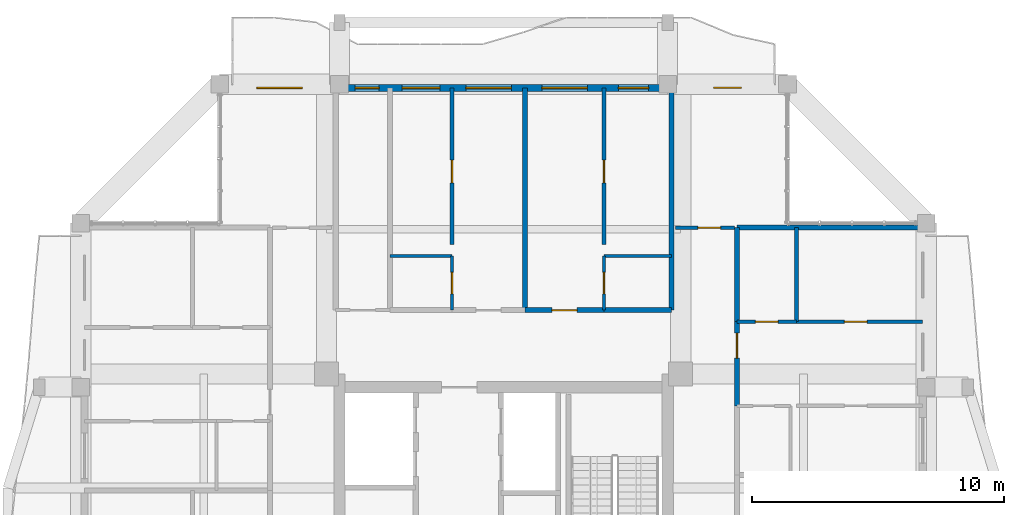
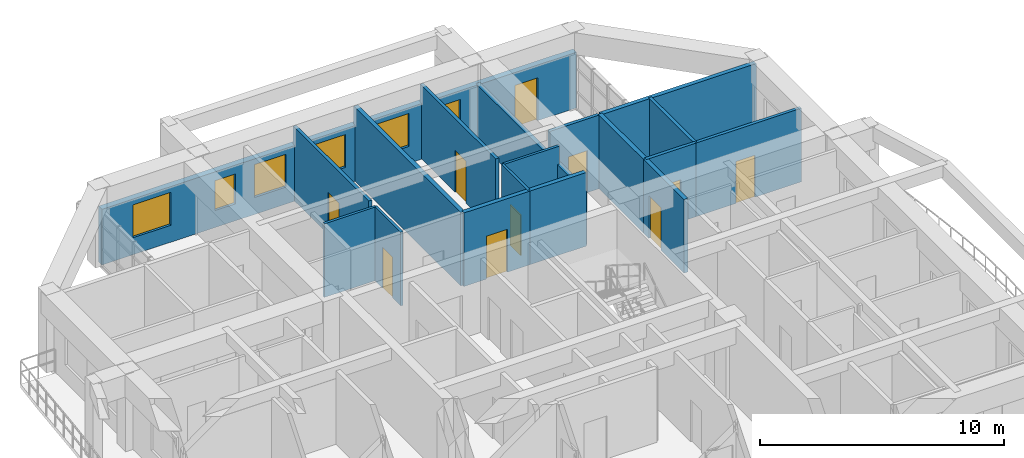
# One storey, part 20 of 27: 18 walls, 10 doors, 6 windows, 16 openings.
"""IFC4 building model written with IfcOpenShell, lengths in metres."""

from ifc_helpers import new_model, si_unit, direction, frame, frame_2d, origin, place, context, subcontext, project, spatial, rectangle, extrude, source, transform, mapped, material, layer, layer_set, type_object, element, fill, save


model = new_model("IFC4")

# Units and contexts
model_context = context("Model", 3, precision=1e-05, world=origin(), true_north=direction((0.0, 1.0)))
body_context = subcontext(model_context, "Body", "Model", "MODEL_VIEW")
ifc_project = project(units=[si_unit("LENGTHUNIT", "METRE"), si_unit("AREAUNIT", "SQUARE_METRE"), si_unit("VOLUMEUNIT", "CUBIC_METRE"), si_unit("PLANEANGLEUNIT", "RADIAN"), si_unit("MASSUNIT", "GRAM", prefix="KILO")], contexts=[model_context])

# Site, building, storey
site_placement = place(None, origin())
site = spatial("IfcSite", under=ifc_project, at=site_placement, CompositionType="ELEMENT")
building_placement = place(site_placement, origin())
building = spatial("IfcBuilding", under=site, at=building_placement, Name="Saelheon Loggia Tower", CompositionType="ELEMENT")
storey_placement = place(building_placement, frame((0.0, 0.0, 226.199951171875)))
storey = spatial("IfcBuildingStorey", under=building, at=storey_placement, Name="L70", CompositionType="ELEMENT", Elevation=226.199951171875)

# Wall, openings, windows, door
ifc_material_1 = material(Name="Architectural Precast Concrete C40/50", Category="concrete")
ifc_layer_1 = layer(ifc_material_1, 0.280029296875)
ifc_layer_set_1 = layer_set([ifc_layer_1], Name="Architectural Precast Concrete C40/50")
wall_type_1 = type_object("IfcWallType", Name="Wall_Ext_Loggia_280", PredefinedType="SOLIDWALL", material=ifc_layer_set_1)
wall_1_placement = place(storey_placement, frame((26.75, 47.860107421875, 0.0), z_axis=(0.0, 0.0, 1.0), x_axis=(1.0, 0.0, 0.0)))
wall_1 = element("IfcWall", 1, at=wall_1_placement, inside=storey, type_object=wall_type_1, Name="L70 North Loggia Inner Wall", PredefinedType="SOLIDWALL", context=body_context, shape_type="SweptSolid", body=[
    extrude(rectangle(XDim=22.5, YDim=0.280029296875, at=frame_2d((11.25, 0.0))), origin(), (0.0, 0.0, 1.0), 2.7900390625),
])
opening_1_placement = place(wall_1_placement, frame((1.47509765625, 0.0, 0.85009765625)))
opening_1 = element("IfcOpeningElement", 2, at=opening_1_placement, cuts=wall_1, Name="Opening WN-01", PredefinedType="OPENING", context=body_context, shape_type="SweptSolid", body=[
    extrude(rectangle(XDim=1.800048828125, YDim=1.64990234375, at=frame_2d((0.89990234375, 0.824951171875))), frame((0.0, 0.152099609375, 0.0), z_axis=(0.0, -1.0, 0.0), x_axis=(1.0, 0.0, 0.0)), (0.0, 0.0, 1.0), 0.303955078125),
])
opening_2_placement = place(wall_1_placement, frame((5.3701171875, 0.0, 0.85009765625)))
opening_2 = element("IfcOpeningElement", 3, at=opening_2_placement, cuts=wall_1, Name="Opening WN-04", PredefinedType="OPENING", context=body_context, shape_type="SweptSolid", body=[
    extrude(rectangle(XDim=0.949951171875, YDim=1.5, at=frame_2d((0.47509765625, 0.75))), frame((0.0, 0.152099609375, 0.0), z_axis=(0.0, -1.0, 0.0), x_axis=(1.0, 0.0, 0.0)), (0.0, 0.0, 1.0), 0.303955078125),
])
opening_3_placement = place(wall_1_placement, frame((7.23095703125, 0.0, 0.85009765625)))
opening_3 = element("IfcOpeningElement", 4, at=opening_3_placement, cuts=wall_1, Name="Opening WN-02", PredefinedType="OPENING", context=body_context, shape_type="SweptSolid", body=[
    extrude(rectangle(XDim=1.5, YDim=1.64990234375, at=frame_2d((0.75, 0.824951171875))), frame((0.0, 0.152099609375, 0.0), z_axis=(0.0, -1.0, 0.0), x_axis=(1.0, 0.0, 0.0)), (0.0, 0.0, 1.0), 0.303955078125),
])
opening_4_placement = place(wall_1_placement, frame((9.7568359375, 0.0, 0.85009765625)))
opening_4 = element("IfcOpeningElement", 5, at=opening_4_placement, cuts=wall_1, Name="Opening WN-01", PredefinedType="OPENING", context=body_context, shape_type="SweptSolid", body=[
    extrude(rectangle(XDim=1.800048828125, YDim=1.64990234375, at=frame_2d((0.89990234375, 0.824951171875))), frame((0.0, 0.152099609375, 0.0), z_axis=(0.0, -1.0, 0.0), x_axis=(1.0, 0.0, 0.0)), (0.0, 0.0, 1.0), 0.303955078125),
])
opening_5_placement = place(wall_1_placement, frame((12.767333984375, 0.0, 0.85009765625)))
opening_5 = element("IfcOpeningElement", 6, at=opening_5_placement, cuts=wall_1, Name="Opening WN-01", PredefinedType="OPENING", context=body_context, shape_type="SweptSolid", body=[
    extrude(rectangle(XDim=1.800048828125, YDim=1.64990234375, at=frame_2d((0.89990234375, 0.824951171875))), frame((0.0, 0.152099609375, 0.0), z_axis=(0.0, -1.0, 0.0), x_axis=(1.0, 0.0, 0.0)), (0.0, 0.0, 1.0), 0.303955078125),
])
opening_6_placement = place(wall_1_placement, frame((15.79638671875, 0.0, 0.85009765625)))
opening_6 = element("IfcOpeningElement", 7, at=opening_6_placement, cuts=wall_1, Name="Opening WN-03", PredefinedType="OPENING", context=body_context, shape_type="SweptSolid", body=[
    extrude(rectangle(XDim=1.199951171875, YDim=1.5, at=frame_2d((0.60009765625, 0.75))), frame((0.0, 0.152099609375, 0.0), z_axis=(0.0, -1.0, 0.0), x_axis=(1.0, 0.0, 0.0)), (0.0, 0.0, 1.0), 0.303955078125),
])
opening_7_placement = place(wall_1_placement, frame((19.574951171875, 0.0, 0.0)))
opening_7 = element("IfcOpeningElement", 8, at=opening_7_placement, cuts=wall_1, Name="Opening TD1", PredefinedType="OPENING", context=body_context, shape_type="SweptSolid", body=[
    extrude(rectangle(XDim=1.10009765625, YDim=2.14990234375, at=frame_2d((0.550048828125, 1.074951171875))), frame((0.0, 0.152099609375, 0.0), z_axis=(0.0, -1.0, 0.0), x_axis=(1.0, 0.0, 0.0)), (0.0, 0.0, 1.0), 0.303955078125),
])
ifc_material_2 = material(Name="Thermal-Break Aluminium and Triple Low-E Glass", Category="aluminium")
window_type_1 = type_object("IfcWindowType", Name="Win_Dwelling_1800x1650", PartitioningType="SINGLE_PANEL", PredefinedType="WINDOW", material=ifc_material_2)
shared_shape_1 = source(origin(), body_context, "Body", "SweptSolid", [
    extrude(rectangle(XDim=1.800048828125, YDim=1.64990234375, at=frame_2d((0.89990234375, 0.824951171875))), frame((0.0, 0.030029296875, 0.0), z_axis=(0.0, -1.0, 0.0), x_axis=(1.0, 0.0, 0.0)), (0.0, 0.0, 1.0), 0.06005859375),
])
window_1_placement = place(opening_1_placement, origin())
window_1 = element("IfcWindow", 9, at=window_1_placement, inside=storey, type_object=window_type_1, Name="L70 N Dwelling Window 1", OverallHeight=1.64990234375, OverallWidth=1.800048828125, PartitioningType="SINGLE_PANEL", PredefinedType="WINDOW", context=body_context, shape_type="MappedRepresentation", body=[
    mapped(shared_shape_1, transform((0.0, 0.0, 0.0), scale=1.0)),
])
fill(opening_1, window_1)
window_2_placement = place(opening_4_placement, origin())
window_2 = element("IfcWindow", 10, at=window_2_placement, inside=storey, type_object=window_type_1, Name="L70 N Dwelling Window 4", OverallHeight=1.64990234375, OverallWidth=1.800048828125, PartitioningType="SINGLE_PANEL", PredefinedType="WINDOW", context=body_context, shape_type="MappedRepresentation", body=[
    mapped(shared_shape_1, transform((0.0, 0.0, 0.0), scale=1.0)),
])
fill(opening_4, window_2)
window_3_placement = place(opening_5_placement, origin())
window_3 = element("IfcWindow", 11, at=window_3_placement, inside=storey, type_object=window_type_1, Name="L70 N Dwelling Window 5", OverallHeight=1.64990234375, OverallWidth=1.800048828125, PartitioningType="SINGLE_PANEL", PredefinedType="WINDOW", context=body_context, shape_type="MappedRepresentation", body=[
    mapped(shared_shape_1, transform((0.0, 0.0, 0.0), scale=1.0)),
])
fill(opening_5, window_3)
window_type_2 = type_object("IfcWindowType", Name="Win_Bedroom_1200x1500", PartitioningType="SINGLE_PANEL", PredefinedType="WINDOW", material=ifc_material_2)
shared_shape_2 = source(origin(), body_context, "Body", "SweptSolid", [
    extrude(rectangle(XDim=1.199951171875, YDim=1.5, at=frame_2d((0.60009765625, 0.75))), frame((0.0, 0.030029296875, 0.0), z_axis=(0.0, -1.0, 0.0), x_axis=(1.0, 0.0, 0.0)), (0.0, 0.0, 1.0), 0.06005859375),
])
window_4_placement = place(opening_6_placement, origin())
window_4 = element("IfcWindow", 12, at=window_4_placement, inside=storey, type_object=window_type_2, Name="L70 N Dwelling Window 6", OverallHeight=1.5, OverallWidth=1.199951171875, PartitioningType="SINGLE_PANEL", PredefinedType="WINDOW", context=body_context, shape_type="MappedRepresentation", body=[
    mapped(shared_shape_2, transform((0.0, 0.0, 0.0), scale=1.0)),
])
fill(opening_6, window_4)
ifc_material_3 = material(Name="Thermal-Break Aluminium Glazed Door", Category="aluminium")
door_type_1 = type_object("IfcDoorType", Name="Door_Terrace_TD1", OperationType="NOTDEFINED", PredefinedType="DOOR", material=ifc_material_3)
shared_shape_3 = source(origin(), body_context, "Body", "SweptSolid", [
    extrude(rectangle(XDim=1.10009765625, YDim=2.14990234375, at=frame_2d((0.550048828125, 1.074951171875))), frame((0.0, 0.02490234375, 0.0), z_axis=(0.0, -1.0, 0.0), x_axis=(1.0, 0.0, 0.0)), (0.0, 0.0, 1.0), 0.050048828125),
])
door_1_placement = place(opening_7_placement, origin())
door_1 = element("IfcDoor", 13, at=door_1_placement, inside=storey, type_object=door_type_1, Name="L70 N Loggia Access Door", OperationType="SINGLE_SWING_LEFT", OverallHeight=2.14990234375, OverallWidth=1.10009765625, PredefinedType="DOOR", context=body_context, shape_type="MappedRepresentation", body=[
    mapped(shared_shape_3, transform((0.0, 0.0, 0.0), scale=1.0)),
])
fill(opening_7, door_1)
window_type_3 = type_object("IfcWindowType", Name="Win_Narrow_950x1500", PartitioningType="SINGLE_PANEL", PredefinedType="WINDOW", material=ifc_material_2)
shared_shape_4 = source(origin(), body_context, "Body", "SweptSolid", [
    extrude(rectangle(XDim=0.949951171875, YDim=1.5, at=frame_2d((0.47509765625, 0.75))), frame((0.0, 0.030029296875, 0.0), z_axis=(0.0, -1.0, 0.0), x_axis=(1.0, 0.0, 0.0)), (0.0, 0.0, 1.0), 0.06005859375),
])
window_5_placement = place(opening_2_placement, origin())
window_5 = element("IfcWindow", 14, at=window_5_placement, inside=storey, type_object=window_type_3, Name="L70 N Dwelling Window 2", OverallHeight=1.5, OverallWidth=0.949951171875, PartitioningType="SINGLE_PANEL", PredefinedType="WINDOW", context=body_context, shape_type="MappedRepresentation", body=[
    mapped(shared_shape_4, transform((0.0, 0.0, 0.0), scale=1.0)),
])
fill(opening_2, window_5)
window_type_4 = type_object("IfcWindowType", Name="Win_Dwelling_1500x1650", PartitioningType="SINGLE_PANEL", PredefinedType="WINDOW", material=ifc_material_2)
shared_shape_5 = source(origin(), body_context, "Body", "SweptSolid", [
    extrude(rectangle(XDim=1.5, YDim=1.64990234375, at=frame_2d((0.75, 0.824951171875))), frame((0.0, 0.030029296875, 0.0), z_axis=(0.0, -1.0, 0.0), x_axis=(1.0, 0.0, 0.0)), (0.0, 0.0, 1.0), 0.06005859375),
])
window_6_placement = place(opening_3_placement, origin())
window_6 = element("IfcWindow", 15, at=window_6_placement, inside=storey, type_object=window_type_4, Name="L70 N Dwelling Window 3", OverallHeight=1.64990234375, OverallWidth=1.5, PartitioningType="SINGLE_PANEL", PredefinedType="WINDOW", context=body_context, shape_type="MappedRepresentation", body=[
    mapped(shared_shape_5, transform((0.0, 0.0, 0.0), scale=1.0)),
])
fill(opening_3, window_6)

# Wall, opening, door
ifc_material_4 = material(Name="Lightweight Autoclaved Aerated Concrete Block and Acoustic Gypsum", Category="concrete")
ifc_layer_2 = layer(ifc_material_4, 0.14990234375)
ifc_layer_set_2 = layer_set([ifc_layer_2], Name="Lightweight Autoclaved Aerated Concrete Block and Acoustic Gypsum")
wall_type_2 = type_object("IfcWallType", Name="Wall_Part_150", PredefinedType="PARTITIONING", material=ifc_layer_set_2)
wall_2_placement = place(storey_placement, frame((44.820068359375, 42.320068359375, 0.0), z_axis=(0.0, 0.0, 1.0), x_axis=(1.0, 0.0, 0.0)))
wall_2 = element("IfcWall", 16, at=wall_2_placement, inside=storey, type_object=wall_type_2, Name="PW-L70-CNE-H", PredefinedType="PARTITIONING", context=body_context, shape_type="SweptSolid", body=[
    extrude(rectangle(XDim=2.329833984375, YDim=0.14990234375, at=frame_2d((1.1650390625, 0.0))), origin(), (0.0, 0.0, 1.0), 3.68994140625),
])
opening_8_placement = place(wall_2_placement, frame((0.8798828125, 0.0, 0.0)))
opening_8 = element("IfcOpeningElement", 17, at=opening_8_placement, cuts=wall_2, Name="Opening D-IN2", PredefinedType="OPENING", context=body_context, shape_type="SweptSolid", body=[
    extrude(rectangle(XDim=0.89990234375, YDim=2.10009765625, at=frame_2d((0.449951171875, 1.050048828125))), frame((0.0, 0.0869140625, 0.0), z_axis=(0.0, -1.0, 0.0), x_axis=(1.0, 0.0, 0.0)), (0.0, 0.0, 1.0), 0.173828125),
])
ifc_material_5 = material(Name="Engineered Oak Flush Door", Category="timber")
door_type_2 = type_object("IfcDoorType", Name="Door_Int_900", OperationType="NOTDEFINED", PredefinedType="DOOR", material=ifc_material_5)
shared_shape_6 = source(origin(), body_context, "Body", "SweptSolid", [
    extrude(rectangle(XDim=0.89990234375, YDim=2.10009765625, at=frame_2d((0.449951171875, 1.050048828125))), frame((0.0, 0.02490234375, 0.0), z_axis=(0.0, -1.0, 0.0), x_axis=(1.0, 0.0, 0.0)), (0.0, 0.0, 1.0), 0.050048828125),
])
door_2_placement = place(opening_8_placement, origin())
door_2 = element("IfcDoor", 18, at=door_2_placement, inside=storey, type_object=door_type_2, Name="L70 Corner Reading Room NE Door", OperationType="SINGLE_SWING_LEFT", OverallHeight=2.10009765625, OverallWidth=0.89990234375, PredefinedType="DOOR", context=body_context, shape_type="MappedRepresentation", body=[
    mapped(shared_shape_6, transform((0.0, 0.0, 0.0), scale=1.0)),
])
fill(opening_8, door_2)

wall_3_placement = place(storey_placement, frame((35.9619140625, 41.64990234375, 0.0), z_axis=(0.0, 0.0, 1.0), x_axis=(0.0, 1.0, 0.0)))
wall_3 = element("IfcWall", 19, at=wall_3_placement, inside=storey, type_object=wall_type_2, Name="L70 N Partition U09", PredefinedType="PARTITIONING", context=body_context, shape_type="SweptSolid", body=[
    extrude(rectangle(XDim=6.2001953125, YDim=0.14990234375, at=frame_2d((3.10009765625, 0.0))), origin(), (0.0, 0.0, 1.0), 3.68994140625),
])
opening_9_placement = place(wall_3_placement, frame((2.44921875, 0.0, 0.0)))
opening_9 = element("IfcOpeningElement", 20, at=opening_9_placement, cuts=wall_3, Name="Opening D-IN2", PredefinedType="OPENING", context=body_context, shape_type="SweptSolid", body=[
    extrude(rectangle(XDim=0.89990234375, YDim=2.10009765625, at=frame_2d((0.449951171875, 1.050048828125))), frame((0.0, 0.0869140625, 0.0), z_axis=(0.0, -1.0, 0.0), x_axis=(1.0, 0.0, 0.0)), (0.0, 0.0, 1.0), 0.173828125),
])
door_3_placement = place(opening_9_placement, origin())
door_3 = element("IfcDoor", 21, at=door_3_placement, inside=storey, type_object=door_type_2, Name="Unit U03 Kitchen Door", OperationType="SINGLE_SWING_LEFT", OverallHeight=2.10009765625, OverallWidth=0.89990234375, PredefinedType="DOOR", context=body_context, shape_type="MappedRepresentation", body=[
    mapped(shared_shape_6, transform((0.0, 0.0, 0.0), scale=1.0)),
])
fill(opening_9, door_3)

wall_4_placement = place(storey_placement, frame((41.98291015625, 41.64990234375, 0.0), z_axis=(0.0, 0.0, 1.0), x_axis=(0.0, 1.0, 0.0)))
wall_4 = element("IfcWall", 22, at=wall_4_placement, inside=storey, type_object=wall_type_2, Name="L70 N Partition U15", PredefinedType="PARTITIONING", context=body_context, shape_type="SweptSolid", body=[
    extrude(rectangle(XDim=6.2001953125, YDim=0.14990234375, at=frame_2d((3.10009765625, 0.0))), origin(), (0.0, 0.0, 1.0), 3.68994140625),
])
opening_10_placement = place(wall_4_placement, frame((2.44921875, 0.0, 0.0)))
opening_10 = element("IfcOpeningElement", 23, at=opening_10_placement, cuts=wall_4, Name="Opening D-IN2", PredefinedType="OPENING", context=body_context, shape_type="SweptSolid", body=[
    extrude(rectangle(XDim=0.89990234375, YDim=2.10009765625, at=frame_2d((0.449951171875, 1.050048828125))), frame((0.0, 0.0869140625, 0.0), z_axis=(0.0, -1.0, 0.0), x_axis=(1.0, 0.0, 0.0)), (0.0, 0.0, 1.0), 0.173828125),
])
door_4_placement = place(opening_10_placement, origin())
door_4 = element("IfcDoor", 24, at=door_4_placement, inside=storey, type_object=door_type_2, Name="Unit U04 Kitchen Door", OperationType="SINGLE_SWING_RIGHT", OverallHeight=2.10009765625, OverallWidth=0.89990234375, PredefinedType="DOOR", context=body_context, shape_type="MappedRepresentation", body=[
    mapped(shared_shape_6, transform((0.0, 0.0, 0.0), scale=1.0)),
])
fill(opening_10, door_4)

# Wall
wall_5_placement = place(storey_placement, frame((49.610107421875, 38.59423828125, 0.0), z_axis=(0.0, 0.0, 1.0), x_axis=(0.0, 1.0, 0.0)))
element("IfcWall", 25, at=wall_5_placement, inside=storey, type_object=wall_type_2, Name="L70 E Partition V27", PredefinedType="PARTITIONING", context=body_context, shape_type="SweptSolid", body=[
    extrude(rectangle(XDim=3.725830078125, YDim=0.14990234375, at=frame_2d((1.86279296875, 0.0))), origin(), (0.0, 0.0, 1.0), 3.68994140625),
])

# Wall, opening, door
wall_6_placement = place(storey_placement, frame((47.25, 38.59423828125, 0.0), z_axis=(0.0, 0.0, 1.0), x_axis=(1.0, 0.0, 0.0)))
wall_6 = element("IfcWall", 26, at=wall_6_placement, inside=storey, type_object=wall_type_2, Name="L70 E Partition U30", PredefinedType="PARTITIONING", context=body_context, shape_type="SweptSolid", body=[
    extrude(rectangle(XDim=2.360107421875, YDim=0.14990234375, at=frame_2d((1.18017578125, 0.0))), origin(), (0.0, 0.0, 1.0), 3.68994140625),
])
opening_11_placement = place(wall_6_placement, frame((0.72998046875, 0.0, 0.0)))
opening_11 = element("IfcOpeningElement", 27, at=opening_11_placement, cuts=wall_6, Name="Opening D-IN2", PredefinedType="OPENING", context=body_context, shape_type="SweptSolid", body=[
    extrude(rectangle(XDim=0.89990234375, YDim=2.10009765625, at=frame_2d((0.449951171875, 1.050048828125))), frame((0.0, 0.0869140625, 0.0), z_axis=(0.0, -1.0, 0.0), x_axis=(1.0, 0.0, 0.0)), (0.0, 0.0, 1.0), 0.173828125),
])
door_5_placement = place(opening_11_placement, origin())
door_5 = element("IfcDoor", 28, at=door_5_placement, inside=storey, type_object=door_type_2, Name="Unit U10 Dressing Closet Door", OperationType="SINGLE_SWING_LEFT", OverallHeight=2.10009765625, OverallWidth=0.89990234375, PredefinedType="DOOR", context=body_context, shape_type="MappedRepresentation", body=[
    mapped(shared_shape_6, transform((0.0, 0.0, 0.0), scale=1.0)),
])
fill(opening_11, door_5)

wall_7_placement = place(storey_placement, frame((49.610107421875, 38.59423828125, 0.0), z_axis=(0.0, 0.0, 1.0), x_axis=(1.0, 0.0, 0.0)))
wall_7 = element("IfcWall", 29, at=wall_7_placement, inside=storey, type_object=wall_type_2, Name="L70 E Partition U31", PredefinedType="PARTITIONING", context=body_context, shape_type="SweptSolid", body=[
    extrude(rectangle(XDim=4.989990234375, YDim=0.14990234375, at=frame_2d((2.4951171875, 0.0))), origin(), (0.0, 0.0, 1.0), 3.68994140625),
])
opening_12_placement = place(wall_7_placement, frame((1.89453125, 0.0, 0.0)))
opening_12 = element("IfcOpeningElement", 30, at=opening_12_placement, cuts=wall_7, Name="Opening D-IN2", PredefinedType="OPENING", context=body_context, shape_type="SweptSolid", body=[
    extrude(rectangle(XDim=0.89990234375, YDim=2.10009765625, at=frame_2d((0.449951171875, 1.050048828125))), frame((0.0, 0.0869140625, 0.0), z_axis=(0.0, -1.0, 0.0), x_axis=(1.0, 0.0, 0.0)), (0.0, 0.0, 1.0), 0.173828125),
])
door_6_placement = place(opening_12_placement, origin())
door_6 = element("IfcDoor", 31, at=door_6_placement, inside=storey, type_object=door_type_2, Name="Unit U10 Bedroom 1 Door", OperationType="SINGLE_SWING_RIGHT", OverallHeight=2.10009765625, OverallWidth=0.89990234375, PredefinedType="DOOR", context=body_context, shape_type="MappedRepresentation", body=[
    mapped(shared_shape_6, transform((0.0, 0.0, 0.0), scale=1.0)),
])
fill(opening_12, door_6)

# Walls
ifc_material_6 = material(Name="Double Acoustic Stud and Fireboard Partition", Category="gypsum")
ifc_layer_3 = layer(ifc_material_6, 0.199951171875)
ifc_layer_set_3 = layer_set([ifc_layer_3], Name="Double Acoustic Stud and Fireboard Partition")
wall_type_3 = type_object("IfcWallType", Name="Wall_Party_200", PredefinedType="PARTITIONING", material=ifc_layer_set_3)
wall_8_placement = place(storey_placement, frame((44.64990234375, 39.050048828125, 0.0), z_axis=(0.0, 0.0, 1.0), x_axis=(0.0, 1.0, 0.0)))
element("IfcWall", 32, at=wall_8_placement, inside=storey, type_object=wall_type_3, Name="L70 N Partition U02", PredefinedType="PARTITIONING", context=body_context, shape_type="SweptSolid", body=[
    extrude(rectangle(XDim=8.800048828125, YDim=0.199951171875, at=frame_2d((4.39990234375, 0.0))), origin(), (0.0, 0.0, 1.0), 2.7900390625),
])
wall_9_placement = place(storey_placement, frame((38.85205078125, 39.050048828125, 0.0), z_axis=(0.0, 0.0, 1.0), x_axis=(0.0, 1.0, 0.0)))
element("IfcWall", 33, at=wall_9_placement, inside=storey, type_object=wall_type_3, Name="L70 N Partition U10", PredefinedType="PARTITIONING", context=body_context, shape_type="SweptSolid", body=[
    extrude(rectangle(XDim=8.800048828125, YDim=0.199951171875, at=frame_2d((4.39990234375, 0.0))), origin(), (0.0, 0.0, 1.0), 3.68994140625),
])

# Wall, opening, door
wall_10_placement = place(storey_placement, frame((38.85205078125, 39.050048828125, 0.0), z_axis=(0.0, 0.0, 1.0), x_axis=(1.0, 0.0, 0.0)))
wall_10 = element("IfcWall", 34, at=wall_10_placement, inside=storey, type_object=wall_type_3, Name="L70 N Partition V11", PredefinedType="PARTITIONING", context=body_context, shape_type="SweptSolid", body=[
    extrude(rectangle(XDim=3.130859375, YDim=0.199951171875, at=frame_2d((1.5654296875, 0.0))), origin(), (0.0, 0.0, 1.0), 3.68994140625),
])
opening_13_placement = place(wall_10_placement, frame((1.0654296875, 0.0, 0.0)))
opening_13 = element("IfcOpeningElement", 35, at=opening_13_placement, cuts=wall_10, Name="Opening D-FD1", PredefinedType="OPENING", context=body_context, shape_type="SweptSolid", body=[
    extrude(rectangle(XDim=1.0, YDim=2.14990234375, at=frame_2d((0.5, 1.074951171875))), frame((0.0, 0.112060546875, 0.0), z_axis=(0.0, -1.0, 0.0), x_axis=(1.0, 0.0, 0.0)), (0.0, 0.0, 1.0), 0.223876953125),
])
ifc_material_7 = material(Name="Fire-Rated Engineered Timber Entrance Door", Category="wood")
door_type_3 = type_object("IfcDoorType", Name="Door_Flat_FD30S", OperationType="NOTDEFINED", PredefinedType="DOOR", material=ifc_material_7)
shared_shape_7 = source(origin(), body_context, "Body", "SweptSolid", [
    extrude(rectangle(XDim=1.0, YDim=2.14990234375, at=frame_2d((0.5, 1.074951171875))), frame((0.0, 0.02490234375, 0.0), z_axis=(0.0, -1.0, 0.0), x_axis=(1.0, 0.0, 0.0)), (0.0, 0.0, 1.0), 0.050048828125),
])
door_7_placement = place(opening_13_placement, origin())
door_7 = element("IfcDoor", 36, at=door_7_placement, inside=storey, type_object=door_type_3, Name="Unit U04 Entrance Door", OperationType="SINGLE_SWING_RIGHT", OverallHeight=2.14990234375, OverallWidth=1.0, PredefinedType="DOOR", context=body_context, shape_type="MappedRepresentation", body=[
    mapped(shared_shape_7, transform((0.0, 0.0, 0.0), scale=1.0)),
])
fill(opening_13, door_7)

# Walls
wall_11_placement = place(storey_placement, frame((41.98291015625, 39.050048828125, 0.0), z_axis=(0.0, 0.0, 1.0), x_axis=(1.0, 0.0, 0.0)))
element("IfcWall", 37, at=wall_11_placement, inside=storey, type_object=wall_type_3, Name="L70 N Partition V12", PredefinedType="PARTITIONING", context=body_context, shape_type="SweptSolid", body=[
    extrude(rectangle(XDim=2.6669921875, YDim=0.199951171875, at=frame_2d((1.33349609375, 0.0))), origin(), (0.0, 0.0, 1.0), 3.68994140625),
])
wall_12_placement = place(storey_placement, frame((47.25, 42.320068359375, 0.0), z_axis=(0.0, 0.0, 1.0), x_axis=(1.0, 0.0, 0.0)))
element("IfcWall", 38, at=wall_12_placement, inside=storey, type_object=wall_type_3, Name="L70 E Partition U02", PredefinedType="PARTITIONING", context=body_context, shape_type="SweptSolid", body=[
    extrude(rectangle(XDim=7.35009765625, YDim=0.199951171875, at=frame_2d((3.675048828125, 0.0))), origin(), (0.0, 0.0, 1.0), 3.68994140625),
])

# Wall, opening, door
wall_13_placement = place(storey_placement, frame((47.25, 35.260498046875, 0.0), z_axis=(0.0, 0.0, 1.0), x_axis=(0.0, 1.0, 0.0)))
wall_13 = element("IfcWall", 39, at=wall_13_placement, inside=storey, type_object=wall_type_3, Name="L70 E Partition V24", PredefinedType="PARTITIONING", context=body_context, shape_type="SweptSolid", body=[
    extrude(rectangle(XDim=3.333740234375, YDim=0.199951171875, at=frame_2d((1.6669921875, 0.0))), origin(), (0.0, 0.0, 1.0), 3.68994140625),
])
opening_14_placement = place(wall_13_placement, frame((1.884765625, 0.0, 0.0)))
opening_14 = element("IfcOpeningElement", 40, at=opening_14_placement, cuts=wall_13, Name="Opening D-FD1", PredefinedType="OPENING", context=body_context, shape_type="SweptSolid", body=[
    extrude(rectangle(XDim=1.0, YDim=2.14990234375, at=frame_2d((0.5, 1.074951171875))), frame((0.0, 0.112060546875, 0.0), z_axis=(0.0, -1.0, 0.0), x_axis=(1.0, 0.0, 0.0)), (0.0, 0.0, 1.0), 0.223876953125),
])
door_8_placement = place(opening_14_placement, origin())
door_8 = element("IfcDoor", 41, at=door_8_placement, inside=storey, type_object=door_type_3, Name="Unit U10 Entrance Door", OperationType="SINGLE_SWING_RIGHT", OverallHeight=2.14990234375, OverallWidth=1.0, PredefinedType="DOOR", context=body_context, shape_type="MappedRepresentation", body=[
    mapped(shared_shape_7, transform((0.0, 0.0, 0.0), scale=1.0)),
])
fill(opening_14, door_8)

# Wall
wall_14_placement = place(storey_placement, frame((47.25, 38.59423828125, 0.0), z_axis=(0.0, 0.0, 1.0), x_axis=(0.0, 1.0, 0.0)))
element("IfcWall", 42, at=wall_14_placement, inside=storey, type_object=wall_type_3, Name="L70 E Partition V25", PredefinedType="PARTITIONING", context=body_context, shape_type="SweptSolid", body=[
    extrude(rectangle(XDim=3.725830078125, YDim=0.199951171875, at=frame_2d((1.86279296875, 0.0))), origin(), (0.0, 0.0, 1.0), 3.68994140625),
])

# Wall, opening, door
ifc_material_8 = material(Name="Moisture-Resistant Cement Board Partition", Category="gypsum")
ifc_layer_4 = layer(ifc_material_8, 0.1201171875)
ifc_layer_set_4 = layer_set([ifc_layer_4], Name="Moisture-Resistant Cement Board Partition")
wall_type_4 = type_object("IfcWallType", Name="Wall_WetPart_120", PredefinedType="PARTITIONING", material=ifc_layer_set_4)
wall_15_placement = place(storey_placement, frame((35.9619140625, 39.050048828125, 0.0), z_axis=(0.0, 0.0, 1.0), x_axis=(0.0, 1.0, 0.0)))
wall_15 = element("IfcWall", 43, at=wall_15_placement, inside=storey, type_object=wall_type_4, Name="L70 N Partition U07", PredefinedType="PARTITIONING", context=body_context, shape_type="SweptSolid", body=[
    extrude(rectangle(XDim=2.14990234375, YDim=0.1201171875, at=frame_2d((1.074951171875, 0.0))), origin(), (0.0, 0.0, 1.0), 3.68994140625),
])
opening_15_placement = place(wall_15_placement, frame((0.64990234375, 0.0, 0.0)))
opening_15 = element("IfcOpeningElement", 44, at=opening_15_placement, cuts=wall_15, Name="Opening D-BT1", PredefinedType="OPENING", context=body_context, shape_type="SweptSolid", body=[
    extrude(rectangle(XDim=0.85009765625, YDim=2.050048828125, at=frame_2d((0.425048828125, 1.02490234375))), frame((0.0, 0.072021484375, 0.0), z_axis=(0.0, -1.0, 0.0), x_axis=(1.0, 0.0, 0.0)), (0.0, 0.0, 1.0), 0.14404296875),
])
ifc_material_9 = material(Name="Moisture-Resistant Laminate Timber Door", Category="wood")
door_type_4 = type_object("IfcDoorType", Name="Door_Bath_850", OperationType="NOTDEFINED", PredefinedType="DOOR", material=ifc_material_9)
shared_shape_8 = source(origin(), body_context, "Body", "SweptSolid", [
    extrude(rectangle(XDim=0.85009765625, YDim=2.050048828125, at=frame_2d((0.425048828125, 1.02490234375))), frame((0.0, 0.02490234375, 0.0), z_axis=(0.0, -1.0, 0.0), x_axis=(1.0, 0.0, 0.0)), (0.0, 0.0, 1.0), 0.050048828125),
])
door_9_placement = place(opening_15_placement, origin())
door_9 = element("IfcDoor", 45, at=door_9_placement, inside=storey, type_object=door_type_4, Name="Unit U03 Bathroom Door", OperationType="SINGLE_SWING_RIGHT", OverallHeight=2.050048828125, OverallWidth=0.85009765625, PredefinedType="DOOR", context=body_context, shape_type="MappedRepresentation", body=[
    mapped(shared_shape_8, transform((0.0, 0.0, 0.0), scale=1.0)),
])
fill(opening_15, door_9)

# Wall
wall_16_placement = place(storey_placement, frame((33.5, 41.199951171875, 0.0), z_axis=(0.0, 0.0, 1.0), x_axis=(1.0, 0.0, 0.0)))
element("IfcWall", 46, at=wall_16_placement, inside=storey, type_object=wall_type_4, Name="L70 N Partition V08", PredefinedType="PARTITIONING", context=body_context, shape_type="SweptSolid", body=[
    extrude(rectangle(XDim=2.4619140625, YDim=0.1201171875, at=frame_2d((1.23095703125, 0.0))), origin(), (0.0, 0.0, 1.0), 3.68994140625),
])

# Wall, opening, door
wall_17_placement = place(storey_placement, frame((41.98291015625, 39.050048828125, 0.0), z_axis=(0.0, 0.0, 1.0), x_axis=(0.0, 1.0, 0.0)))
wall_17 = element("IfcWall", 47, at=wall_17_placement, inside=storey, type_object=wall_type_4, Name="L70 N Partition U13", PredefinedType="PARTITIONING", context=body_context, shape_type="SweptSolid", body=[
    extrude(rectangle(XDim=2.14990234375, YDim=0.1201171875, at=frame_2d((1.074951171875, 0.0))), origin(), (0.0, 0.0, 1.0), 3.68994140625),
])
opening_16_placement = place(wall_17_placement, frame((0.64990234375, 0.0, 0.0)))
opening_16 = element("IfcOpeningElement", 48, at=opening_16_placement, cuts=wall_17, Name="Opening D-BT1", PredefinedType="OPENING", context=body_context, shape_type="SweptSolid", body=[
    extrude(rectangle(XDim=0.85009765625, YDim=2.050048828125, at=frame_2d((0.425048828125, 1.02490234375))), frame((0.0, 0.072021484375, 0.0), z_axis=(0.0, -1.0, 0.0), x_axis=(1.0, 0.0, 0.0)), (0.0, 0.0, 1.0), 0.14404296875),
])
door_10_placement = place(opening_16_placement, origin())
door_10 = element("IfcDoor", 49, at=door_10_placement, inside=storey, type_object=door_type_4, Name="Unit U04 Bathroom Door", OperationType="SINGLE_SWING_LEFT", OverallHeight=2.050048828125, OverallWidth=0.85009765625, PredefinedType="DOOR", context=body_context, shape_type="MappedRepresentation", body=[
    mapped(shared_shape_8, transform((0.0, 0.0, 0.0), scale=1.0)),
])
fill(opening_16, door_10)

# Wall
wall_18_placement = place(storey_placement, frame((41.98291015625, 41.199951171875, 0.0), z_axis=(0.0, 0.0, 1.0), x_axis=(1.0, 0.0, 0.0)))
element("IfcWall", 50, at=wall_18_placement, inside=storey, type_object=wall_type_4, Name="L70 N Partition V14", PredefinedType="PARTITIONING", context=body_context, shape_type="SweptSolid", body=[
    extrude(rectangle(XDim=2.6669921875, YDim=0.1201171875, at=frame_2d((1.33349609375, 0.0))), origin(), (0.0, 0.0, 1.0), 3.68994140625),
])

save(model, "model.ifc")
